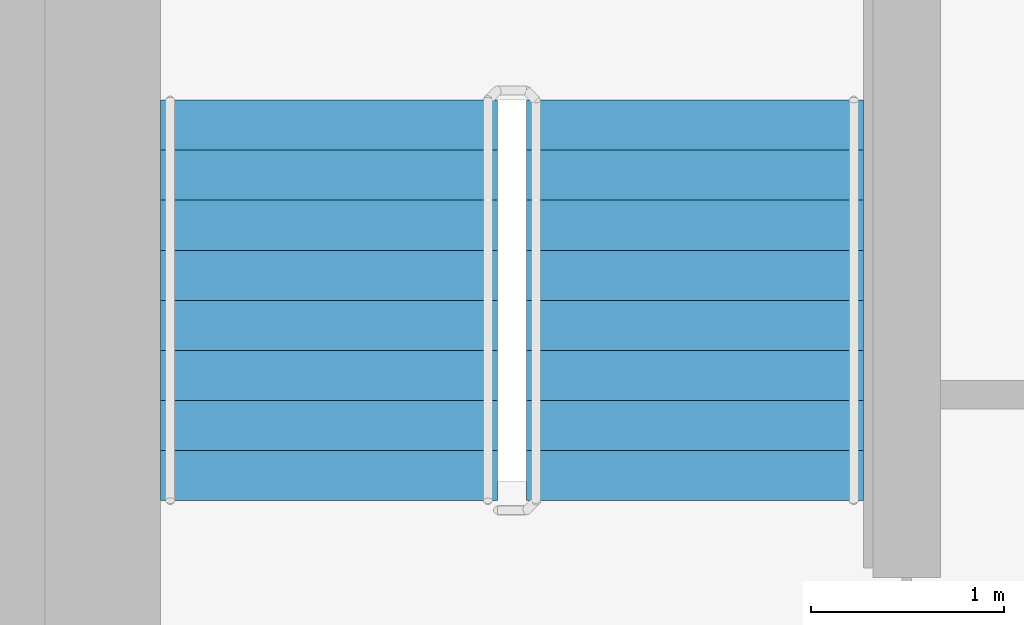
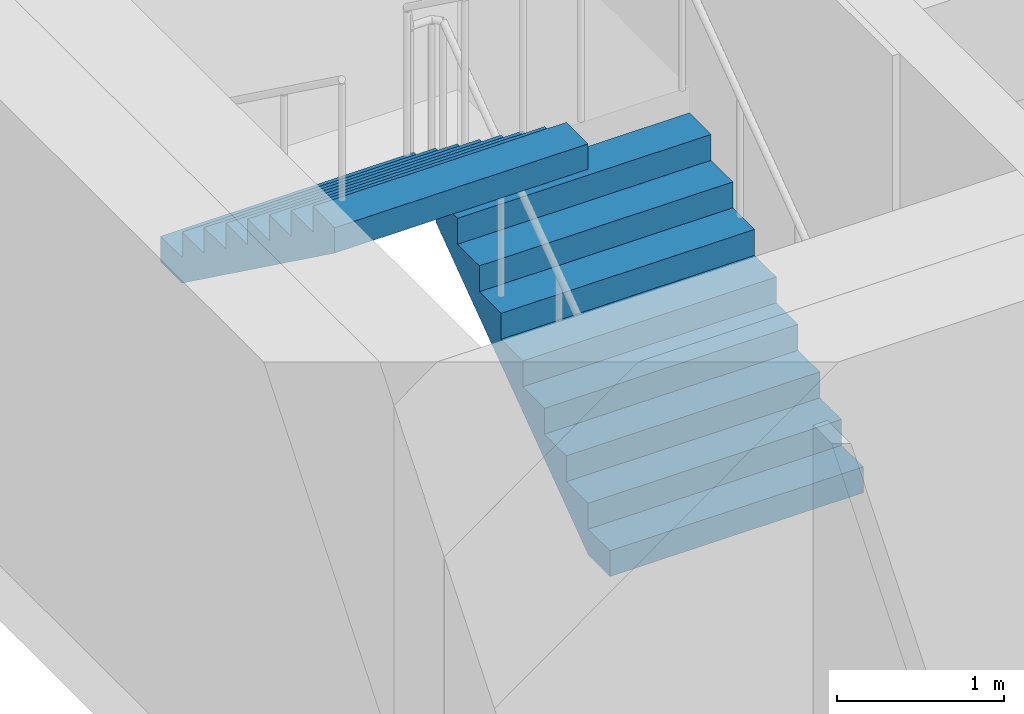
# One storey, part 15 of 18: 2 stair flights, 1 element without a shape of its own.
"""IFC4 building model written with IfcOpenShell, lengths in metres."""

import ifcopenshell
import ifcopenshell.guid

model = None  # the IFC model being written
_history = None  # IfcOwnerHistory: only IFC2X3 demands one
_inside = {}  # id of a spatial element -> (the spatial element, [elements in it])
_under = {}  # id of a project, library or spatial element -> (it, [spatial elements below it])
_declared = {}  # id of a project -> (the project, [libraries it declares])
_typed = {}  # id of a type object -> (the type object, [elements of that type])
_made_of = {}  # id of a material, layer set ... -> (it, [elements and type objects made of it])


def new_model(schema):
    """Start an empty IFC model of exactly this schema.

    Asked for "IFC4X3", IfcOpenShell would pick the latest addendum, in which some entities
    have other attributes; the version numbers below select the first issue.
    IFC2X3 requires an IfcOwnerHistory on every rooted entity: one is made here for all.
    """
    global model, _history
    if schema == "IFC4X3":
        model = ifcopenshell.file(schema_version=(4, 3, 0, 0))
    else:
        model = ifcopenshell.file(schema=schema)
    _inside.clear()
    _under.clear()
    _declared.clear()
    _typed.clear()
    _made_of.clear()
    _history = None
    if model.schema == "IFC2X3":
        org = make("IfcOrganization", Name="unknown")
        user = make(
            "IfcPersonAndOrganization",
            ThePerson=make("IfcPerson", FamilyName="unknown"),
            TheOrganization=org,
        )
        app = make(
            "IfcApplication",
            ApplicationDeveloper=org,
            Version="unknown",
            ApplicationFullName="unknown",
            ApplicationIdentifier="unknown",
        )
        _history = make(
            "IfcOwnerHistory",
            OwningUser=user,
            OwningApplication=app,
            ChangeAction="ADDED",
            CreationDate=0,
        )
    return model


def make(cls, **values):
    """One entity of the class cls with the attributes given. An attribute that is None is left unset."""
    return model.create_entity(
        cls, **{name: value for name, value in values.items() if value is not None}
    )


def rooted(cls, **values):
    """An entity with a GlobalId (a new one), such as an element, a storey or a relation."""
    return make(cls, GlobalId=ifcopenshell.guid.new(), OwnerHistory=_history, **values)


def si_unit(unit_type, name, prefix=None):
    """IfcSIUnit, for example si_unit("LENGTHUNIT", "METRE", prefix="MILLI")."""
    return make("IfcSIUnit", UnitType=unit_type, Prefix=prefix, Name=name)


def assignment(units):
    """IfcUnitAssignment: the units of a project."""
    return None if units is None else make("IfcUnitAssignment", Units=units)


def point(xyz):
    """IfcCartesianPoint."""
    return None if xyz is None else make("IfcCartesianPoint", Coordinates=xyz)


def direction(xyz):
    """IfcDirection."""
    return None if xyz is None else make("IfcDirection", DirectionRatios=xyz)


def frame(location, z_axis=None, x_axis=None):
    """IfcAxis2Placement3D, a coordinate frame: its origin and axes. An axis left out is left unset."""
    return make(
        "IfcAxis2Placement3D",
        Location=point(location),
        Axis=direction(z_axis),
        RefDirection=direction(x_axis),
    )


def origin():
    """The frame at (0, 0, 0) with its axes left unset."""
    return frame((0.0, 0.0, 0.0))


def place(relative_to, where):
    """IfcLocalPlacement: puts the frame where relative to a parent placement (None: the world)."""
    return make(
        "IfcLocalPlacement", PlacementRelTo=relative_to, RelativePlacement=where
    )


def context(
    kind, dimensions, precision=None, world=None, true_north=None, identifier=None
):
    """IfcGeometricRepresentationContext, for example the 3D "Model" context."""
    return make(
        "IfcGeometricRepresentationContext",
        ContextIdentifier=identifier,
        ContextType=kind,
        CoordinateSpaceDimension=dimensions,
        Precision=precision,
        WorldCoordinateSystem=world,
        TrueNorth=true_north,
    )


def subcontext(parent, identifier, kind, view, scale=None):
    """IfcGeometricRepresentationSubContext, for example "Body" below "Model"."""
    return make(
        "IfcGeometricRepresentationSubContext",
        ContextIdentifier=identifier,
        ContextType=kind,
        ParentContext=parent,
        TargetScale=scale,
        TargetView=view,
    )


def project(units=None, contexts=None):
    """IfcProject with its units and contexts."""
    return rooted(
        "IfcProject",
        Name="project",
        RepresentationContexts=contexts,
        UnitsInContext=assignment(units),
    )


def spatial(cls, under=None, at=None, **own):
    """A site, building, storey or space (cls), placed at a placement, below another one or the project."""
    s = rooted(cls, ObjectPlacement=at, **own)
    if under is not None:
        _under.setdefault(under.id(), (under, []))[1].append(s)
    return s


def faces_of(points, faces, orient=None, outer=None):
    """IfcFace entities. A face is a list of loops; a loop is a list of indices into points, from 0.

    orient and outer hold one flag for each loop. By default every Orientation is true, the
    first loop of a face is its IfcFaceOuterBound and the others are IfcFaceBound.
    """
    made = []
    for i, loops in enumerate(faces):
        bounds = []
        for j, loop in enumerate(loops):
            is_outer = j == 0 if outer is None else outer[i][j]
            bounds.append(
                make(
                    "IfcFaceOuterBound" if is_outer else "IfcFaceBound",
                    Bound=make("IfcPolyLoop", Polygon=[points[k] for k in loop]),
                    Orientation=True if orient is None else orient[i][j],
                )
            )
        made.append(make("IfcFace", Bounds=bounds))
    return made


def faceted_brep(points, faces, orient=None, outer=None, voids=None):
    """IfcFacetedBrep: a solid bounded by flat faces; with voids (closed shells), ...WithVoids."""
    shared = [point(p) for p in points]
    hull = make("IfcClosedShell", CfsFaces=faces_of(shared, faces, orient, outer))
    if voids is None:
        return make("IfcFacetedBrep", Outer=hull)
    return make(
        "IfcFacetedBrepWithVoids",
        Outer=hull,
        Voids=[
            make(cls, CfsFaces=faces_of(shared, fs, o, b)) for cls, fs, o, b in voids
        ],
    )


def shape(context_of_items, identifier, shape_type, items):
    """IfcShapeRepresentation: the items that make up one representation, for example the "Body"."""
    return make(
        "IfcShapeRepresentation",
        ContextOfItems=context_of_items,
        RepresentationIdentifier=identifier,
        RepresentationType=shape_type,
        Items=items,
    )


def material(Name=None, Category=None):
    """IfcMaterial."""
    return make("IfcMaterial", Name=Name, Category=Category)


def made_of(thing, what):
    """Note that an element or type object is made of a material, layer set ...; save() writes the relation."""
    if what is not None:
        _made_of.setdefault(what.id(), (what, []))[1].append(thing)
    return thing


def type_object(cls, material=None, **own):
    """A type object (cls), such as IfcWallType, which elements share."""
    return made_of(rooted(cls, **own), material)


def element(
    cls,
    number,
    at=None,
    inside=None,
    cuts=None,
    type_object=None,
    material=None,
    context=None,
    identifier="Body",
    shape_type=None,
    held_by="IfcProductDefinitionShape",
    body=None,
    shapes=None,
    **own,
):
    """One element of the class cls, such as IfcWall. Its Tag is "e" and its number.

    at: its placement. inside: the storey or other place that contains it. cuts: it is an
    opening in that element (IfcRelVoidsElement). A single representation is given by context,
    identifier, shape_type and body (its items); several are given by shapes. held_by: the class
    of the entity that holds the representations. save() writes the other relations.
    """
    e = rooted(cls, Tag="e%d" % number, ObjectPlacement=at, **own)
    if body is not None:
        shapes = [shape(context, identifier, shape_type, body)]
    if shapes is not None:
        e.Representation = make(held_by, Representations=shapes)
    if inside is not None:
        _inside.setdefault(inside.id(), (inside, []))[1].append(e)
    if cuts is not None:
        rooted(
            "IfcRelVoidsElement", RelatingBuildingElement=cuts, RelatedOpeningElement=e
        )
    if type_object is not None:
        _typed.setdefault(type_object.id(), (type_object, []))[1].append(e)
    return made_of(e, material)


def aggregate(whole, parts):
    """IfcRelAggregates: a whole, such as a stair, and the parts it consists of."""
    return rooted("IfcRelAggregates", RelatingObject=whole, RelatedObjects=parts)


def save(model, path):
    """Write the relations noted so far, then the file.

    IfcRelAggregates (storeys below a building ...), IfcRelContainedInSpatialStructure (elements
    in a storey), IfcRelDefinesByType, IfcRelAssociatesMaterial and IfcRelDeclares: one each for
    every whole, place, type object, material and project.
    """
    for whole, parts in _under.values():
        aggregate(whole, parts)
    for where, things in _inside.values():
        rooted(
            "IfcRelContainedInSpatialStructure",
            RelatedElements=things,
            RelatingStructure=where,
        )
    for kind, things in _typed.values():
        rooted("IfcRelDefinesByType", RelatedObjects=things, RelatingType=kind)
    for what, things in _made_of.values():
        rooted("IfcRelAssociatesMaterial", RelatedObjects=things, RelatingMaterial=what)
    for by, libraries in _declared.values():
        rooted("IfcRelDeclares", RelatingContext=by, RelatedDefinitions=libraries)
    model.write(path)


model = new_model("IFC4")

# Units and contexts
model_context = context("Model", 3, precision=1e-05, world=origin(), true_north=direction((0.0, 1.0)))
body_context = subcontext(model_context, "Body", "Model", "MODEL_VIEW")
ifc_project = project(units=[si_unit("LENGTHUNIT", "METRE"), si_unit("AREAUNIT", "SQUARE_METRE"), si_unit("VOLUMEUNIT", "CUBIC_METRE"), si_unit("PLANEANGLEUNIT", "RADIAN"), si_unit("MASSUNIT", "GRAM", prefix="KILO")], contexts=[model_context])

# Site, building, storey
site_placement = place(None, origin())
site = spatial("IfcSite", under=ifc_project, at=site_placement, CompositionType="ELEMENT")
building_placement = place(site_placement, origin())
building = spatial("IfcBuilding", under=site, at=building_placement, Name="Ipe Terrace Towers", CompositionType="ELEMENT")
storey_placement = place(building_placement, frame((0.0, 0.0, 202.800048828125)))
storey = spatial("IfcBuildingStorey", under=building, at=storey_placement, Name="L56", CompositionType="ELEMENT", Elevation=202.800048828125)

# Stair, stair flights
ifc_material_1 = material(Name="Concrete C30/37", Category="concrete")
stair_type = type_object("IfcStairType", Name="Protected exit stair", PredefinedType="HALF_TURN_STAIR", material=ifc_material_1)
stair_placement = place(storey_placement, origin())
stair = element("IfcStair", 1, at=stair_placement, inside=storey, type_object=stair_type, Name="L56 Exit stair T2-C1", PredefinedType="HALF_TURN_STAIR")
ifc_material_2 = material(Name="Concrete C30/37", Category="concrete")
stair_flight_type = type_object("IfcStairFlightType", Name="Exit stair flight 1750", PredefinedType="STRAIGHT", material=ifc_material_2)
stair_flight_1_placement = place(storey_placement, frame((33.22509765625, 9.699951171875, 0.0), z_axis=(0.0, 0.0, 1.0), x_axis=(0.0, 1.0, 0.0)))
stair_flight_1 = element("IfcStairFlight", 2, at=stair_flight_1_placement, type_object=stair_flight_type, Name="T2-ST1 flight 1", NumberOfRisers=9, NumberOfTreads=8, PredefinedType="STRAIGHT", RiserHeight=0.188888889, TreadLength=0.26, context=body_context, shape_type="Brep", body=[
    faceted_brep([(0.255126953125, -0.875, 0.0), (2.080078125, -0.875, 1.325927734375), (2.080078125, -0.875, 1.51123046875), (1.820068359375, -0.875, 1.51123046875), (1.820068359375, -0.875, 1.322265625), (1.56005859375, -0.875, 1.322265625), (1.56005859375, -0.875, 1.13330078125), (1.300048828125, -0.875, 1.13330078125), (1.300048828125, -0.875, 0.9443359375), (1.0400390625, -0.875, 0.9443359375), (1.0400390625, -0.875, 0.755615234375), (0.780029296875, -0.875, 0.755615234375), (0.780029296875, -0.875, 0.566650390625), (0.52001953125, -0.875, 0.566650390625), (0.52001953125, -0.875, 0.377685546875), (0.260009765625, -0.875, 0.377685546875), (0.260009765625, -0.875, 0.18896484375), (0.0, -0.875, 0.18896484375), (0.0, -0.875, 0.0), (0.0, 0.875, 0.0), (0.0, 0.875, 0.18896484375), (0.260009765625, 0.875, 0.18896484375), (0.260009765625, 0.875, 0.377685546875), (0.52001953125, 0.875, 0.377685546875), (0.52001953125, 0.875, 0.566650390625), (0.780029296875, 0.875, 0.566650390625), (0.780029296875, 0.875, 0.755615234375), (1.0400390625, 0.875, 0.755615234375), (1.0400390625, 0.875, 0.9443359375), (1.300048828125, 0.875, 0.9443359375), (1.300048828125, 0.875, 1.13330078125), (1.56005859375, 0.875, 1.13330078125), (1.56005859375, 0.875, 1.322265625), (1.820068359375, 0.875, 1.322265625), (1.820068359375, 0.875, 1.51123046875), (2.080078125, 0.875, 1.51123046875), (2.080078125, 0.875, 1.325927734375), (0.255126953125, 0.875, 0.0), (0.0, -0.300048828125, 0.18896484375), (0.0, -0.1201171875, 0.18896484375), (0.0, -0.06005859375, 0.18896484375), (0.0, -0.030029296875, 0.18896484375), (0.0, -0.010009765625, 0.18896484375), (0.0, 0.0, 0.18896484375), (0.0, 0.010009765625, 0.18896484375), (0.0, 0.030029296875, 0.18896484375), (0.0, 0.06005859375, 0.18896484375), (0.0, 0.1201171875, 0.18896484375), (0.0, 0.300048828125, 0.18896484375), (0.0, 0.300048828125, 0.0), (0.0, 0.1201171875, 0.0), (0.0, 0.06005859375, 0.0), (0.0, 0.030029296875, 0.0), (0.0, 0.010009765625, 0.0), (0.0, 0.0, 0.0), (0.0, -0.010009765625, 0.0), (0.0, -0.030029296875, 0.0), (0.0, -0.06005859375, 0.0), (0.0, -0.1201171875, 0.0), (0.0, -0.300048828125, 0.0), (0.260009765625, -0.300048828125, 0.18896484375), (0.260009765625, -0.1201171875, 0.18896484375), (0.260009765625, -0.06005859375, 0.18896484375), (0.260009765625, -0.030029296875, 0.18896484375), (0.260009765625, -0.010009765625, 0.18896484375), (0.260009765625, 0.0, 0.18896484375), (0.260009765625, 0.010009765625, 0.18896484375), (0.260009765625, 0.030029296875, 0.18896484375), (0.260009765625, 0.06005859375, 0.18896484375), (0.260009765625, 0.1201171875, 0.18896484375), (0.260009765625, 0.300048828125, 0.18896484375), (0.260009765625, -0.300048828125, 0.377685546875), (0.260009765625, -0.1201171875, 0.377685546875), (0.260009765625, -0.06005859375, 0.377685546875), (0.260009765625, -0.030029296875, 0.377685546875), (0.260009765625, -0.010009765625, 0.377685546875), (0.260009765625, 0.0, 0.377685546875), (0.260009765625, 0.010009765625, 0.377685546875), (0.260009765625, 0.030029296875, 0.377685546875), (0.260009765625, 0.06005859375, 0.377685546875), (0.260009765625, 0.1201171875, 0.377685546875), (0.260009765625, 0.300048828125, 0.377685546875), (0.52001953125, -0.300048828125, 0.377685546875), (0.52001953125, -0.1201171875, 0.377685546875), (0.52001953125, -0.06005859375, 0.377685546875), (0.52001953125, -0.030029296875, 0.377685546875), (0.52001953125, -0.010009765625, 0.377685546875), (0.52001953125, 0.0, 0.377685546875), (0.52001953125, 0.010009765625, 0.377685546875), (0.52001953125, 0.030029296875, 0.377685546875), (0.52001953125, 0.06005859375, 0.377685546875), (0.52001953125, 0.1201171875, 0.377685546875), (0.52001953125, 0.300048828125, 0.377685546875), (0.52001953125, -0.300048828125, 0.566650390625), (0.52001953125, -0.1201171875, 0.566650390625), (0.52001953125, -0.06005859375, 0.566650390625), (0.52001953125, -0.030029296875, 0.566650390625), (0.52001953125, -0.010009765625, 0.566650390625), (0.52001953125, 0.0, 0.566650390625), (0.52001953125, 0.010009765625, 0.566650390625), (0.52001953125, 0.030029296875, 0.566650390625), (0.52001953125, 0.06005859375, 0.566650390625), (0.52001953125, 0.1201171875, 0.566650390625), (0.52001953125, 0.300048828125, 0.566650390625), (0.780029296875, -0.300048828125, 0.566650390625), (0.780029296875, -0.1201171875, 0.566650390625), (0.780029296875, -0.06005859375, 0.566650390625), (0.780029296875, -0.030029296875, 0.566650390625), (0.780029296875, -0.010009765625, 0.566650390625), (0.780029296875, 0.0, 0.566650390625), (0.780029296875, 0.010009765625, 0.566650390625), (0.780029296875, 0.030029296875, 0.566650390625), (0.780029296875, 0.06005859375, 0.566650390625), (0.780029296875, 0.1201171875, 0.566650390625), (0.780029296875, 0.300048828125, 0.566650390625), (0.780029296875, -0.300048828125, 0.755615234375), (0.780029296875, -0.1201171875, 0.755615234375), (0.780029296875, -0.06005859375, 0.755615234375), (0.780029296875, -0.030029296875, 0.755615234375), (0.780029296875, -0.010009765625, 0.755615234375), (0.780029296875, 0.0, 0.755615234375), (0.780029296875, 0.010009765625, 0.755615234375), (0.780029296875, 0.030029296875, 0.755615234375), (0.780029296875, 0.06005859375, 0.755615234375), (0.780029296875, 0.1201171875, 0.755615234375), (0.780029296875, 0.300048828125, 0.755615234375), (1.0400390625, -0.300048828125, 0.755615234375), (1.0400390625, -0.1201171875, 0.755615234375), (1.0400390625, -0.06005859375, 0.755615234375), (1.0400390625, -0.030029296875, 0.755615234375), (1.0400390625, -0.010009765625, 0.755615234375), (1.0400390625, 0.0, 0.755615234375), (1.0400390625, 0.010009765625, 0.755615234375), (1.0400390625, 0.030029296875, 0.755615234375), (1.0400390625, 0.06005859375, 0.755615234375), (1.0400390625, 0.1201171875, 0.755615234375), (1.0400390625, 0.300048828125, 0.755615234375), (1.0400390625, -0.300048828125, 0.9443359375), (1.0400390625, -0.1201171875, 0.9443359375), (1.0400390625, -0.06005859375, 0.9443359375), (1.0400390625, -0.030029296875, 0.9443359375), (1.0400390625, -0.010009765625, 0.9443359375), (1.0400390625, 0.0, 0.9443359375), (1.0400390625, 0.010009765625, 0.9443359375), (1.0400390625, 0.030029296875, 0.9443359375), (1.0400390625, 0.06005859375, 0.9443359375), (1.0400390625, 0.1201171875, 0.9443359375), (1.0400390625, 0.300048828125, 0.9443359375), (1.300048828125, -0.300048828125, 0.9443359375), (1.300048828125, -0.1201171875, 0.9443359375), (1.300048828125, -0.06005859375, 0.9443359375), (1.300048828125, -0.030029296875, 0.9443359375), (1.300048828125, -0.010009765625, 0.9443359375), (1.300048828125, 0.0, 0.9443359375), (1.300048828125, 0.010009765625, 0.9443359375), (1.300048828125, 0.030029296875, 0.9443359375), (1.300048828125, 0.06005859375, 0.9443359375), (1.300048828125, 0.1201171875, 0.9443359375), (1.300048828125, 0.300048828125, 0.9443359375), (1.300048828125, -0.300048828125, 1.13330078125), (1.300048828125, -0.1201171875, 1.13330078125), (1.300048828125, -0.06005859375, 1.13330078125), (1.300048828125, -0.030029296875, 1.13330078125), (1.300048828125, -0.010009765625, 1.13330078125), (1.300048828125, 0.0, 1.13330078125), (1.300048828125, 0.010009765625, 1.13330078125), (1.300048828125, 0.030029296875, 1.13330078125), (1.300048828125, 0.06005859375, 1.13330078125), (1.300048828125, 0.1201171875, 1.13330078125), (1.300048828125, 0.300048828125, 1.13330078125), (1.56005859375, -0.300048828125, 1.13330078125), (1.56005859375, -0.1201171875, 1.13330078125), (1.56005859375, -0.06005859375, 1.13330078125), (1.56005859375, -0.030029296875, 1.13330078125), (1.56005859375, -0.010009765625, 1.13330078125), (1.56005859375, 0.0, 1.13330078125), (1.56005859375, 0.010009765625, 1.13330078125), (1.56005859375, 0.030029296875, 1.13330078125), (1.56005859375, 0.06005859375, 1.13330078125), (1.56005859375, 0.1201171875, 1.13330078125), (1.56005859375, 0.300048828125, 1.13330078125), (1.56005859375, -0.300048828125, 1.322265625), (1.56005859375, -0.1201171875, 1.322265625), (1.56005859375, -0.06005859375, 1.322265625), (1.56005859375, -0.030029296875, 1.322265625), (1.56005859375, -0.010009765625, 1.322265625), (1.56005859375, 0.0, 1.322265625), (1.56005859375, 0.010009765625, 1.322265625), (1.56005859375, 0.030029296875, 1.322265625), (1.56005859375, 0.06005859375, 1.322265625), (1.56005859375, 0.1201171875, 1.322265625), (1.56005859375, 0.300048828125, 1.322265625), (1.820068359375, -0.300048828125, 1.322265625), (1.820068359375, -0.1201171875, 1.322265625), (1.820068359375, -0.06005859375, 1.322265625), (1.820068359375, -0.030029296875, 1.322265625), (1.820068359375, -0.010009765625, 1.322265625), (1.820068359375, 0.0, 1.322265625), (1.820068359375, 0.010009765625, 1.322265625), (1.820068359375, 0.030029296875, 1.322265625), (1.820068359375, 0.06005859375, 1.322265625), (1.820068359375, 0.1201171875, 1.322265625), (1.820068359375, 0.300048828125, 1.322265625), (1.820068359375, -0.300048828125, 1.51123046875), (1.820068359375, -0.1201171875, 1.51123046875), (1.820068359375, -0.06005859375, 1.51123046875), (1.820068359375, -0.030029296875, 1.51123046875), (1.820068359375, -0.010009765625, 1.51123046875), (1.820068359375, 0.0, 1.51123046875), (1.820068359375, 0.010009765625, 1.51123046875), (1.820068359375, 0.030029296875, 1.51123046875), (1.820068359375, 0.06005859375, 1.51123046875), (1.820068359375, 0.1201171875, 1.51123046875), (1.820068359375, 0.300048828125, 1.51123046875), (2.080078125, -0.300048828125, 1.51123046875), (2.080078125, -0.1201171875, 1.51123046875), (2.080078125, -0.06005859375, 1.51123046875), (2.080078125, -0.030029296875, 1.51123046875), (2.080078125, -0.010009765625, 1.51123046875), (2.080078125, 0.0, 1.51123046875), (2.080078125, 0.010009765625, 1.51123046875), (2.080078125, 0.030029296875, 1.51123046875), (2.080078125, 0.06005859375, 1.51123046875), (2.080078125, 0.1201171875, 1.51123046875), (2.080078125, 0.300048828125, 1.51123046875), (2.080078125, -0.300048828125, 1.325927734375), (2.080078125, -0.1201171875, 1.325927734375), (2.080078125, -0.06005859375, 1.325927734375), (2.080078125, -0.030029296875, 1.325927734375), (2.080078125, -0.010009765625, 1.325927734375), (2.080078125, 0.0, 1.325927734375), (2.080078125, 0.010009765625, 1.325927734375), (2.080078125, 0.030029296875, 1.325927734375), (2.080078125, 0.06005859375, 1.325927734375), (2.080078125, 0.1201171875, 1.325927734375), (2.080078125, 0.300048828125, 1.325927734375), (0.255126953125, -0.300048828125, 0.0), (0.255126953125, -0.1201171875, 0.0), (0.255126953125, -0.06005859375, 0.0), (0.255126953125, -0.030029296875, 0.0), (0.255126953125, -0.010009765625, 0.0), (0.255126953125, 0.0, 0.0), (0.255126953125, 0.010009765625, 0.0), (0.255126953125, 0.030029296875, 0.0), (0.255126953125, 0.06005859375, 0.0), (0.255126953125, 0.1201171875, 0.0), (0.255126953125, 0.300048828125, 0.0)], [[[0, 1, 2, 3, 4, 5, 6, 7, 8, 9, 10, 11, 12, 13, 14, 15, 16, 17, 18]], [[19, 20, 21, 22, 23, 24, 25, 26, 27, 28, 29, 30, 31, 32, 33, 34, 35, 36, 37]], [[17, 38, 39, 40, 41, 42, 43, 44, 45, 46, 47, 48, 20, 19, 49, 50, 51, 52, 53, 54, 55, 56, 57, 58, 59, 18]], [[16, 60, 61, 62, 63, 64, 65, 66, 67, 68, 69, 70, 21, 20, 48, 47, 46, 45, 44, 43, 42, 41, 40, 39, 38, 17]], [[15, 71, 72, 73, 74, 75, 76, 77, 78, 79, 80, 81, 22, 21, 70, 69, 68, 67, 66, 65, 64, 63, 62, 61, 60, 16]], [[14, 82, 83, 84, 85, 86, 87, 88, 89, 90, 91, 92, 23, 22, 81, 80, 79, 78, 77, 76, 75, 74, 73, 72, 71, 15]], [[13, 93, 94, 95, 96, 97, 98, 99, 100, 101, 102, 103, 24, 23, 92, 91, 90, 89, 88, 87, 86, 85, 84, 83, 82, 14]], [[12, 104, 105, 106, 107, 108, 109, 110, 111, 112, 113, 114, 25, 24, 103, 102, 101, 100, 99, 98, 97, 96, 95, 94, 93, 13]], [[11, 115, 116, 117, 118, 119, 120, 121, 122, 123, 124, 125, 26, 25, 114, 113, 112, 111, 110, 109, 108, 107, 106, 105, 104, 12]], [[10, 126, 127, 128, 129, 130, 131, 132, 133, 134, 135, 136, 27, 26, 125, 124, 123, 122, 121, 120, 119, 118, 117, 116, 115, 11]], [[9, 137, 138, 139, 140, 141, 142, 143, 144, 145, 146, 147, 28, 27, 136, 135, 134, 133, 132, 131, 130, 129, 128, 127, 126, 10]], [[8, 148, 149, 150, 151, 152, 153, 154, 155, 156, 157, 158, 29, 28, 147, 146, 145, 144, 143, 142, 141, 140, 139, 138, 137, 9]], [[7, 159, 160, 161, 162, 163, 164, 165, 166, 167, 168, 169, 30, 29, 158, 157, 156, 155, 154, 153, 152, 151, 150, 149, 148, 8]], [[6, 170, 171, 172, 173, 174, 175, 176, 177, 178, 179, 180, 31, 30, 169, 168, 167, 166, 165, 164, 163, 162, 161, 160, 159, 7]], [[5, 181, 182, 183, 184, 185, 186, 187, 188, 189, 190, 191, 32, 31, 180, 179, 178, 177, 176, 175, 174, 173, 172, 171, 170, 6]], [[4, 192, 193, 194, 195, 196, 197, 198, 199, 200, 201, 202, 33, 32, 191, 190, 189, 188, 187, 186, 185, 184, 183, 182, 181, 5]], [[3, 203, 204, 205, 206, 207, 208, 209, 210, 211, 212, 213, 34, 33, 202, 201, 200, 199, 198, 197, 196, 195, 194, 193, 192, 4]], [[2, 214, 215, 216, 217, 218, 219, 220, 221, 222, 223, 224, 35, 34, 213, 212, 211, 210, 209, 208, 207, 206, 205, 204, 203, 3]], [[1, 225, 226, 227, 228, 229, 230, 231, 232, 233, 234, 235, 36, 35, 224, 223, 222, 221, 220, 219, 218, 217, 216, 215, 214, 2]], [[0, 236, 237, 238, 239, 240, 241, 242, 243, 244, 245, 246, 37, 36, 235, 234, 233, 232, 231, 230, 229, 228, 227, 226, 225, 1]], [[18, 59, 58, 57, 56, 55, 54, 53, 52, 51, 50, 49, 19, 37, 246, 245, 244, 243, 242, 241, 240, 239, 238, 237, 236, 0]]]),
])
stair_flight_2_placement = place(storey_placement, frame((31.324951171875, 11.780029296875, 1.699951171875), z_axis=(0.0, 0.0, 1.0), x_axis=(0.0, -1.0, 0.0)))
stair_flight_2 = element("IfcStairFlight", 3, at=stair_flight_2_placement, type_object=stair_flight_type, Name="T2-ST1 flight 2", NumberOfRisers=9, NumberOfTreads=8, PredefinedType="STRAIGHT", RiserHeight=0.188888889, TreadLength=0.26, context=body_context, shape_type="Brep", body=[
    faceted_brep([(0.255126953125, -0.875, 0.0), (2.080078125, -0.875, 1.325927734375), (2.080078125, -0.875, 1.51123046875), (1.820068359375, -0.875, 1.51123046875), (1.820068359375, -0.875, 1.322265625), (1.56005859375, -0.875, 1.322265625), (1.56005859375, -0.875, 1.13330078125), (1.300048828125, -0.875, 1.13330078125), (1.300048828125, -0.875, 0.9443359375), (1.0400390625, -0.875, 0.9443359375), (1.0400390625, -0.875, 0.755615234375), (0.780029296875, -0.875, 0.755615234375), (0.780029296875, -0.875, 0.566650390625), (0.52001953125, -0.875, 0.566650390625), (0.52001953125, -0.875, 0.377685546875), (0.260009765625, -0.875, 0.377685546875), (0.260009765625, -0.875, 0.18896484375), (0.0, -0.875, 0.18896484375), (0.0, -0.875, 0.0), (0.0, 0.875, 0.0), (0.0, 0.875, 0.18896484375), (0.260009765625, 0.875, 0.18896484375), (0.260009765625, 0.875, 0.377685546875), (0.52001953125, 0.875, 0.377685546875), (0.52001953125, 0.875, 0.566650390625), (0.780029296875, 0.875, 0.566650390625), (0.780029296875, 0.875, 0.755615234375), (1.0400390625, 0.875, 0.755615234375), (1.0400390625, 0.875, 0.9443359375), (1.300048828125, 0.875, 0.9443359375), (1.300048828125, 0.875, 1.13330078125), (1.56005859375, 0.875, 1.13330078125), (1.56005859375, 0.875, 1.322265625), (1.820068359375, 0.875, 1.322265625), (1.820068359375, 0.875, 1.51123046875), (2.080078125, 0.875, 1.51123046875), (2.080078125, 0.875, 1.325927734375), (0.255126953125, 0.875, 0.0), (0.0, -0.300048828125, 0.18896484375), (0.0, -0.1201171875, 0.18896484375), (0.0, -0.06005859375, 0.18896484375), (0.0, -0.030029296875, 0.18896484375), (0.0, -0.010009765625, 0.18896484375), (0.0, 0.0, 0.18896484375), (0.0, 0.010009765625, 0.18896484375), (0.0, 0.030029296875, 0.18896484375), (0.0, 0.06005859375, 0.18896484375), (0.0, 0.1201171875, 0.18896484375), (0.0, 0.300048828125, 0.18896484375), (0.0, 0.300048828125, 0.0), (0.0, 0.1201171875, 0.0), (0.0, 0.06005859375, 0.0), (0.0, 0.030029296875, 0.0), (0.0, 0.010009765625, 0.0), (0.0, 0.0, 0.0), (0.0, -0.010009765625, 0.0), (0.0, -0.030029296875, 0.0), (0.0, -0.06005859375, 0.0), (0.0, -0.1201171875, 0.0), (0.0, -0.300048828125, 0.0), (0.260009765625, -0.300048828125, 0.18896484375), (0.260009765625, -0.1201171875, 0.18896484375), (0.260009765625, -0.06005859375, 0.18896484375), (0.260009765625, -0.030029296875, 0.18896484375), (0.260009765625, -0.010009765625, 0.18896484375), (0.260009765625, 0.0, 0.18896484375), (0.260009765625, 0.010009765625, 0.18896484375), (0.260009765625, 0.030029296875, 0.18896484375), (0.260009765625, 0.06005859375, 0.18896484375), (0.260009765625, 0.1201171875, 0.18896484375), (0.260009765625, 0.300048828125, 0.18896484375), (0.260009765625, -0.300048828125, 0.377685546875), (0.260009765625, -0.1201171875, 0.377685546875), (0.260009765625, -0.06005859375, 0.377685546875), (0.260009765625, -0.030029296875, 0.377685546875), (0.260009765625, -0.010009765625, 0.377685546875), (0.260009765625, 0.0, 0.377685546875), (0.260009765625, 0.010009765625, 0.377685546875), (0.260009765625, 0.030029296875, 0.377685546875), (0.260009765625, 0.06005859375, 0.377685546875), (0.260009765625, 0.1201171875, 0.377685546875), (0.260009765625, 0.300048828125, 0.377685546875), (0.52001953125, -0.300048828125, 0.377685546875), (0.52001953125, -0.1201171875, 0.377685546875), (0.52001953125, -0.06005859375, 0.377685546875), (0.52001953125, -0.030029296875, 0.377685546875), (0.52001953125, -0.010009765625, 0.377685546875), (0.52001953125, 0.0, 0.377685546875), (0.52001953125, 0.010009765625, 0.377685546875), (0.52001953125, 0.030029296875, 0.377685546875), (0.52001953125, 0.06005859375, 0.377685546875), (0.52001953125, 0.1201171875, 0.377685546875), (0.52001953125, 0.300048828125, 0.377685546875), (0.52001953125, -0.300048828125, 0.566650390625), (0.52001953125, -0.1201171875, 0.566650390625), (0.52001953125, -0.06005859375, 0.566650390625), (0.52001953125, -0.030029296875, 0.566650390625), (0.52001953125, -0.010009765625, 0.566650390625), (0.52001953125, 0.0, 0.566650390625), (0.52001953125, 0.010009765625, 0.566650390625), (0.52001953125, 0.030029296875, 0.566650390625), (0.52001953125, 0.06005859375, 0.566650390625), (0.52001953125, 0.1201171875, 0.566650390625), (0.52001953125, 0.300048828125, 0.566650390625), (0.780029296875, -0.300048828125, 0.566650390625), (0.780029296875, -0.1201171875, 0.566650390625), (0.780029296875, -0.06005859375, 0.566650390625), (0.780029296875, -0.030029296875, 0.566650390625), (0.780029296875, -0.010009765625, 0.566650390625), (0.780029296875, 0.0, 0.566650390625), (0.780029296875, 0.010009765625, 0.566650390625), (0.780029296875, 0.030029296875, 0.566650390625), (0.780029296875, 0.06005859375, 0.566650390625), (0.780029296875, 0.1201171875, 0.566650390625), (0.780029296875, 0.300048828125, 0.566650390625), (0.780029296875, -0.300048828125, 0.755615234375), (0.780029296875, -0.1201171875, 0.755615234375), (0.780029296875, -0.06005859375, 0.755615234375), (0.780029296875, -0.030029296875, 0.755615234375), (0.780029296875, -0.010009765625, 0.755615234375), (0.780029296875, 0.0, 0.755615234375), (0.780029296875, 0.010009765625, 0.755615234375), (0.780029296875, 0.030029296875, 0.755615234375), (0.780029296875, 0.06005859375, 0.755615234375), (0.780029296875, 0.1201171875, 0.755615234375), (0.780029296875, 0.300048828125, 0.755615234375), (1.0400390625, -0.300048828125, 0.755615234375), (1.0400390625, -0.1201171875, 0.755615234375), (1.0400390625, -0.06005859375, 0.755615234375), (1.0400390625, -0.030029296875, 0.755615234375), (1.0400390625, -0.010009765625, 0.755615234375), (1.0400390625, 0.0, 0.755615234375), (1.0400390625, 0.010009765625, 0.755615234375), (1.0400390625, 0.030029296875, 0.755615234375), (1.0400390625, 0.06005859375, 0.755615234375), (1.0400390625, 0.1201171875, 0.755615234375), (1.0400390625, 0.300048828125, 0.755615234375), (1.0400390625, -0.300048828125, 0.9443359375), (1.0400390625, -0.1201171875, 0.9443359375), (1.0400390625, -0.06005859375, 0.9443359375), (1.0400390625, -0.030029296875, 0.9443359375), (1.0400390625, -0.010009765625, 0.9443359375), (1.0400390625, 0.0, 0.9443359375), (1.0400390625, 0.010009765625, 0.9443359375), (1.0400390625, 0.030029296875, 0.9443359375), (1.0400390625, 0.06005859375, 0.9443359375), (1.0400390625, 0.1201171875, 0.9443359375), (1.0400390625, 0.300048828125, 0.9443359375), (1.300048828125, -0.300048828125, 0.9443359375), (1.300048828125, -0.1201171875, 0.9443359375), (1.300048828125, -0.06005859375, 0.9443359375), (1.300048828125, -0.030029296875, 0.9443359375), (1.300048828125, -0.010009765625, 0.9443359375), (1.300048828125, 0.0, 0.9443359375), (1.300048828125, 0.010009765625, 0.9443359375), (1.300048828125, 0.030029296875, 0.9443359375), (1.300048828125, 0.06005859375, 0.9443359375), (1.300048828125, 0.1201171875, 0.9443359375), (1.300048828125, 0.300048828125, 0.9443359375), (1.300048828125, -0.300048828125, 1.13330078125), (1.300048828125, -0.1201171875, 1.13330078125), (1.300048828125, -0.06005859375, 1.13330078125), (1.300048828125, -0.030029296875, 1.13330078125), (1.300048828125, -0.010009765625, 1.13330078125), (1.300048828125, 0.0, 1.13330078125), (1.300048828125, 0.010009765625, 1.13330078125), (1.300048828125, 0.030029296875, 1.13330078125), (1.300048828125, 0.06005859375, 1.13330078125), (1.300048828125, 0.1201171875, 1.13330078125), (1.300048828125, 0.300048828125, 1.13330078125), (1.56005859375, -0.300048828125, 1.13330078125), (1.56005859375, -0.1201171875, 1.13330078125), (1.56005859375, -0.06005859375, 1.13330078125), (1.56005859375, -0.030029296875, 1.13330078125), (1.56005859375, -0.010009765625, 1.13330078125), (1.56005859375, 0.0, 1.13330078125), (1.56005859375, 0.010009765625, 1.13330078125), (1.56005859375, 0.030029296875, 1.13330078125), (1.56005859375, 0.06005859375, 1.13330078125), (1.56005859375, 0.1201171875, 1.13330078125), (1.56005859375, 0.300048828125, 1.13330078125), (1.56005859375, -0.300048828125, 1.322265625), (1.56005859375, -0.1201171875, 1.322265625), (1.56005859375, -0.06005859375, 1.322265625), (1.56005859375, -0.030029296875, 1.322265625), (1.56005859375, -0.010009765625, 1.322265625), (1.56005859375, 0.0, 1.322265625), (1.56005859375, 0.010009765625, 1.322265625), (1.56005859375, 0.030029296875, 1.322265625), (1.56005859375, 0.06005859375, 1.322265625), (1.56005859375, 0.1201171875, 1.322265625), (1.56005859375, 0.300048828125, 1.322265625), (1.820068359375, -0.300048828125, 1.322265625), (1.820068359375, -0.1201171875, 1.322265625), (1.820068359375, -0.06005859375, 1.322265625), (1.820068359375, -0.030029296875, 1.322265625), (1.820068359375, -0.010009765625, 1.322265625), (1.820068359375, 0.0, 1.322265625), (1.820068359375, 0.010009765625, 1.322265625), (1.820068359375, 0.030029296875, 1.322265625), (1.820068359375, 0.06005859375, 1.322265625), (1.820068359375, 0.1201171875, 1.322265625), (1.820068359375, 0.300048828125, 1.322265625), (1.820068359375, -0.300048828125, 1.51123046875), (1.820068359375, -0.1201171875, 1.51123046875), (1.820068359375, -0.06005859375, 1.51123046875), (1.820068359375, -0.030029296875, 1.51123046875), (1.820068359375, -0.010009765625, 1.51123046875), (1.820068359375, 0.0, 1.51123046875), (1.820068359375, 0.010009765625, 1.51123046875), (1.820068359375, 0.030029296875, 1.51123046875), (1.820068359375, 0.06005859375, 1.51123046875), (1.820068359375, 0.1201171875, 1.51123046875), (1.820068359375, 0.300048828125, 1.51123046875), (2.080078125, -0.300048828125, 1.51123046875), (2.080078125, -0.1201171875, 1.51123046875), (2.080078125, -0.06005859375, 1.51123046875), (2.080078125, -0.030029296875, 1.51123046875), (2.080078125, -0.010009765625, 1.51123046875), (2.080078125, 0.0, 1.51123046875), (2.080078125, 0.010009765625, 1.51123046875), (2.080078125, 0.030029296875, 1.51123046875), (2.080078125, 0.06005859375, 1.51123046875), (2.080078125, 0.1201171875, 1.51123046875), (2.080078125, 0.300048828125, 1.51123046875), (2.080078125, -0.300048828125, 1.325927734375), (2.080078125, -0.1201171875, 1.325927734375), (2.080078125, -0.06005859375, 1.325927734375), (2.080078125, -0.030029296875, 1.325927734375), (2.080078125, -0.010009765625, 1.325927734375), (2.080078125, 0.0, 1.325927734375), (2.080078125, 0.010009765625, 1.325927734375), (2.080078125, 0.030029296875, 1.325927734375), (2.080078125, 0.06005859375, 1.325927734375), (2.080078125, 0.1201171875, 1.325927734375), (2.080078125, 0.300048828125, 1.325927734375), (0.255126953125, -0.300048828125, 0.0), (0.255126953125, -0.1201171875, 0.0), (0.255126953125, -0.06005859375, 0.0), (0.255126953125, -0.030029296875, 0.0), (0.255126953125, -0.010009765625, 0.0), (0.255126953125, 0.0, 0.0), (0.255126953125, 0.010009765625, 0.0), (0.255126953125, 0.030029296875, 0.0), (0.255126953125, 0.06005859375, 0.0), (0.255126953125, 0.1201171875, 0.0), (0.255126953125, 0.300048828125, 0.0)], [[[0, 1, 2, 3, 4, 5, 6, 7, 8, 9, 10, 11, 12, 13, 14, 15, 16, 17, 18]], [[19, 20, 21, 22, 23, 24, 25, 26, 27, 28, 29, 30, 31, 32, 33, 34, 35, 36, 37]], [[17, 38, 39, 40, 41, 42, 43, 44, 45, 46, 47, 48, 20, 19, 49, 50, 51, 52, 53, 54, 55, 56, 57, 58, 59, 18]], [[16, 60, 61, 62, 63, 64, 65, 66, 67, 68, 69, 70, 21, 20, 48, 47, 46, 45, 44, 43, 42, 41, 40, 39, 38, 17]], [[15, 71, 72, 73, 74, 75, 76, 77, 78, 79, 80, 81, 22, 21, 70, 69, 68, 67, 66, 65, 64, 63, 62, 61, 60, 16]], [[14, 82, 83, 84, 85, 86, 87, 88, 89, 90, 91, 92, 23, 22, 81, 80, 79, 78, 77, 76, 75, 74, 73, 72, 71, 15]], [[13, 93, 94, 95, 96, 97, 98, 99, 100, 101, 102, 103, 24, 23, 92, 91, 90, 89, 88, 87, 86, 85, 84, 83, 82, 14]], [[12, 104, 105, 106, 107, 108, 109, 110, 111, 112, 113, 114, 25, 24, 103, 102, 101, 100, 99, 98, 97, 96, 95, 94, 93, 13]], [[11, 115, 116, 117, 118, 119, 120, 121, 122, 123, 124, 125, 26, 25, 114, 113, 112, 111, 110, 109, 108, 107, 106, 105, 104, 12]], [[10, 126, 127, 128, 129, 130, 131, 132, 133, 134, 135, 136, 27, 26, 125, 124, 123, 122, 121, 120, 119, 118, 117, 116, 115, 11]], [[9, 137, 138, 139, 140, 141, 142, 143, 144, 145, 146, 147, 28, 27, 136, 135, 134, 133, 132, 131, 130, 129, 128, 127, 126, 10]], [[8, 148, 149, 150, 151, 152, 153, 154, 155, 156, 157, 158, 29, 28, 147, 146, 145, 144, 143, 142, 141, 140, 139, 138, 137, 9]], [[7, 159, 160, 161, 162, 163, 164, 165, 166, 167, 168, 169, 30, 29, 158, 157, 156, 155, 154, 153, 152, 151, 150, 149, 148, 8]], [[6, 170, 171, 172, 173, 174, 175, 176, 177, 178, 179, 180, 31, 30, 169, 168, 167, 166, 165, 164, 163, 162, 161, 160, 159, 7]], [[5, 181, 182, 183, 184, 185, 186, 187, 188, 189, 190, 191, 32, 31, 180, 179, 178, 177, 176, 175, 174, 173, 172, 171, 170, 6]], [[4, 192, 193, 194, 195, 196, 197, 198, 199, 200, 201, 202, 33, 32, 191, 190, 189, 188, 187, 186, 185, 184, 183, 182, 181, 5]], [[3, 203, 204, 205, 206, 207, 208, 209, 210, 211, 212, 213, 34, 33, 202, 201, 200, 199, 198, 197, 196, 195, 194, 193, 192, 4]], [[2, 214, 215, 216, 217, 218, 219, 220, 221, 222, 223, 224, 35, 34, 213, 212, 211, 210, 209, 208, 207, 206, 205, 204, 203, 3]], [[1, 225, 226, 227, 228, 229, 230, 231, 232, 233, 234, 235, 36, 35, 224, 223, 222, 221, 220, 219, 218, 217, 216, 215, 214, 2]], [[0, 236, 237, 238, 239, 240, 241, 242, 243, 244, 245, 246, 37, 36, 235, 234, 233, 232, 231, 230, 229, 228, 227, 226, 225, 1]], [[18, 59, 58, 57, 56, 55, 54, 53, 52, 51, 50, 49, 19, 37, 246, 245, 244, 243, 242, 241, 240, 239, 238, 237, 236, 0]]]),
])
aggregate(stair, [stair_flight_1, stair_flight_2])

save(model, "model.ifc")
